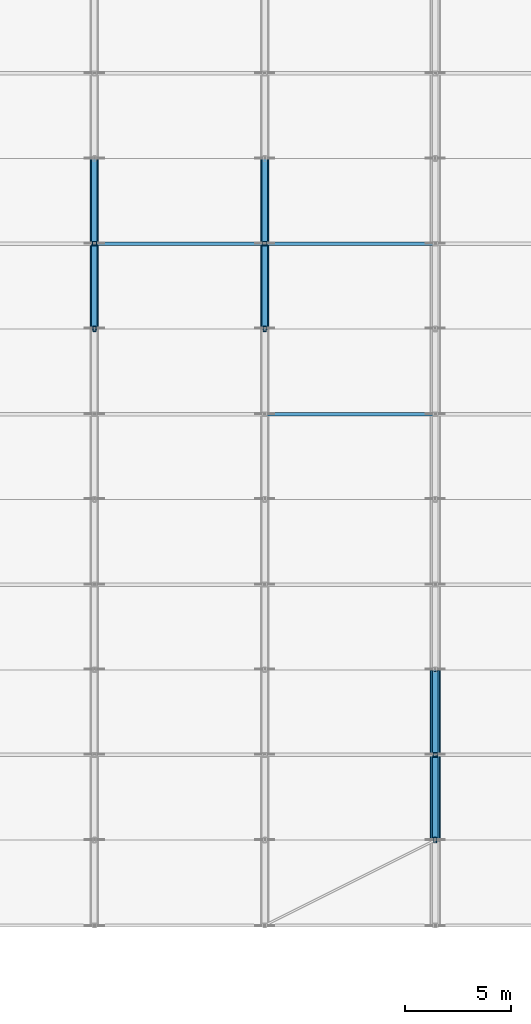
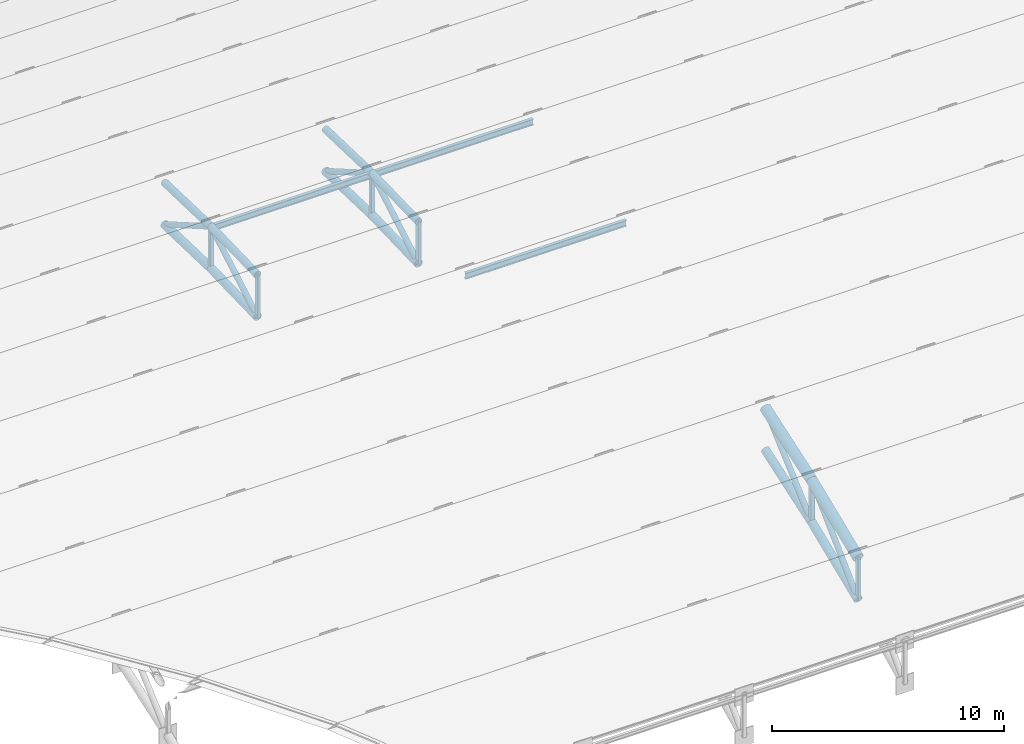
# One storey, part 26 of 98: 27 members.
"""IFC4 building model written with IfcOpenShell, lengths in metres."""

from ifc_helpers import new_model, si_unit, direction, frame, origin, origin_2d, place, context, subcontext, project, spatial, hollow_rectangle, hollow_circle, i_section, extrude, material, material_profile, profile_set, type_object, element, save


model = new_model("IFC4")

# Units and contexts
model_context = context("Model", 3, precision=1e-05, world=origin(), true_north=direction((0.0, 1.0)))
body_context = subcontext(model_context, "Body", "Model", "MODEL_VIEW")
ifc_project = project(units=[si_unit("LENGTHUNIT", "METRE"), si_unit("AREAUNIT", "SQUARE_METRE"), si_unit("VOLUMEUNIT", "CUBIC_METRE"), si_unit("PLANEANGLEUNIT", "RADIAN"), si_unit("MASSUNIT", "GRAM", prefix="KILO")], contexts=[model_context])

# Site, building, storey
site_placement = place(None, origin())
site = spatial("IfcSite", under=ifc_project, at=site_placement, CompositionType="ELEMENT")
building_placement = place(site_placement, origin())
building = spatial("IfcBuilding", under=site, at=building_placement, Name="Tlacozan Convention Centre", CompositionType="ELEMENT")
storey_placement = place(building_placement, frame((0.0, 0.0, 25.800048828125)))
storey = spatial("IfcBuildingStorey", under=building, at=storey_placement, Name="Roof", CompositionType="ELEMENT", Elevation=25.800048828125)

# Members
ifc_material_1 = material(Name="Steel ASTM A500 Grade C", Category="steel")
ifc_material_profile_1 = material_profile(ifc_material_1, hollow_circle(Radius=0.203125, WallThickness=0.015869140625, at=origin_2d()), Name="OC 406.4x15.9")
ifc_profile_set_1 = profile_set([ifc_material_profile_1], Name="Steel ASTM A500 Grade C")
member_type_1 = type_object("IfcMemberType", Name="Arch Bottom Chord OC 406.4x15.9", PredefinedType="CHORD", material=ifc_profile_set_1)
for number, where, z_axis, x_axis, name in (
    (1, (80.0, 90.0, -4.917724609375), (0.0, 0.999567543518, 0.029406222899), (-1.0, 0.0, 0.0), "V2A Roof Truss 11 Bottom Chord 8"),
    (2, (80.0, 94.0, -4.800048828125), (0.0, 0.999567543518, -0.029406222899), (-1.0, 0.0, 0.0), "V2A Roof Truss 11 Bottom Chord 9"),
    (3, (88.0, 90.0, -4.917724609375), (0.0, 0.999567543518, 0.029406222899), (-1.0, 0.0, 0.0), "V2A Roof Truss 12 Bottom Chord 8"),
    (4, (88.0, 94.0, -4.800048828125), (0.0, 0.999567543518, -0.029406222899), (-1.0, 0.0, 0.0), "V2A Roof Truss 12 Bottom Chord 9"),
):
    element("IfcMember", number, at=place(storey_placement, frame(where, z_axis=z_axis, x_axis=x_axis)), inside=storey, type_object=member_type_1, Name=name, PredefinedType="CHORD", context=body_context, shape_type="SweptSolid", body=[
        extrude(hollow_circle(Radius=0.203125, WallThickness=0.015869140625, at=origin_2d()), origin(), (0.0, 0.0, 1.0), 4.001708984375),
    ])
member_1_placement = place(storey_placement, frame((96.0, 66.0, -10.832275390625), z_axis=(0.0, 0.923948802258, 0.382516157575), x_axis=(-1.0, 0.0, 0.0)))
element("IfcMember", 5, at=member_1_placement, inside=storey, type_object=member_type_1, Name="V2A Roof Truss 13 Bottom Chord 2", PredefinedType="CHORD", context=body_context, shape_type="SweptSolid", body=[
    extrude(hollow_circle(Radius=0.203125, WallThickness=0.015869140625, at=origin_2d()), origin(), (0.0, 0.0, 1.0), 4.329345703125),
])
member_2_placement = place(storey_placement, frame((96.0, 70.0, -9.17626953125), z_axis=(0.0, 0.946164915813, 0.323684958077), x_axis=(-1.0, 0.0, 0.0)))
element("IfcMember", 6, at=member_2_placement, inside=storey, type_object=member_type_1, Name="V2A Roof Truss 13 Bottom Chord 3", PredefinedType="CHORD", context=body_context, shape_type="SweptSolid", body=[
    extrude(hollow_circle(Radius=0.203125, WallThickness=0.015869140625, at=origin_2d()), origin(), (0.0, 0.0, 1.0), 4.2275390625),
])
ifc_material_profile_2 = material_profile(ifc_material_1, hollow_circle(Radius=0.25390625, WallThickness=0.01904296875, at=origin_2d()), Name="OC 508.0x19.1")
ifc_profile_set_2 = profile_set([ifc_material_profile_2], Name="Steel ASTM A500 Grade C")
member_type_2 = type_object("IfcMemberType", Name="Arch Top Chord OC 508x19.1", PredefinedType="CHORD", material=ifc_profile_set_2)
member_3_placement = place(storey_placement, frame((96.0, 66.0, -8.63232421875), z_axis=(0.0, 0.923928870591, 0.382564297979), x_axis=(-1.0, 0.0, 0.0)))
element("IfcMember", 7, at=member_3_placement, inside=storey, type_object=member_type_2, Name="V2A Roof Truss 13 Top Chord 2", PredefinedType="CHORD", context=body_context, shape_type="SweptSolid", body=[
    extrude(hollow_circle(Radius=0.25390625, WallThickness=0.01904296875, at=origin_2d()), origin(), (0.0, 0.0, 1.0), 4.329345703125),
])
member_4_placement = place(storey_placement, frame((96.0, 70.0, -6.97607421875), z_axis=(0.0, 0.946164915813, 0.323684958077), x_axis=(-1.0, 0.0, 0.0)))
element("IfcMember", 8, at=member_4_placement, inside=storey, type_object=member_type_2, Name="V2A Roof Truss 13 Top Chord 3", PredefinedType="CHORD", context=body_context, shape_type="SweptSolid", body=[
    extrude(hollow_circle(Radius=0.25390625, WallThickness=0.01904296875, at=origin_2d()), origin(), (0.0, 0.0, 1.0), 4.2275390625),
])
ifc_material_profile_3 = material_profile(ifc_material_1, hollow_circle(Radius=0.136474609375, WallThickness=0.0126953125, at=origin_2d()), Name="OC 273.1x12.7")
ifc_profile_set_3 = profile_set([ifc_material_profile_3], Name="Steel ASTM A500 Grade C")
member_type_3 = type_object("IfcMemberType", Name="Arch Web Diagonal OC 273.1x12.7", PredefinedType="BRACE", material=ifc_profile_set_3)
for number, where, z_axis, x_axis, name in (
    (9, (80.0, 90.0, -4.917724609375), (0.0, 0.865253886656, 0.501333932252), (-1.0, 0.0, 0.0), "V2A Roof Truss 11 Web Diagonal 8"),
    (10, (80.0, 94.0, -2.60009765625), (0.0, 0.865253886656, -0.501333932252), (-1.0, 0.0, 0.0), "V2A Roof Truss 11 Web Diagonal 9"),
    (11, (88.0, 90.0, -4.917724609375), (0.0, 0.865253886656, 0.501333932252), (-1.0, 0.0, 0.0), "V2A Roof Truss 12 Web Diagonal 8"),
    (12, (88.0, 94.0, -2.60009765625), (0.0, 0.865253886656, -0.501333932252), (-1.0, 0.0, 0.0), "V2A Roof Truss 12 Web Diagonal 9"),
):
    element("IfcMember", number, at=place(storey_placement, frame(where, z_axis=z_axis, x_axis=x_axis)), inside=storey, type_object=member_type_3, Name=name, PredefinedType="BRACE", context=body_context, shape_type="SweptSolid", body=[
        extrude(hollow_circle(Radius=0.136474609375, WallThickness=0.0126953125, at=origin_2d()), origin(), (0.0, 0.0, 1.0), 4.622802734375),
    ])
member_5_placement = place(storey_placement, frame((96.0, 66.0, -10.832275390625), z_axis=(0.0, 0.719928977367, 0.694047741547), x_axis=(-1.0, 0.0, 0.0)))
element("IfcMember", 13, at=member_5_placement, inside=storey, type_object=member_type_3, Name="V2A Roof Truss 13 Web Diagonal 2", PredefinedType="BRACE", context=body_context, shape_type="SweptSolid", body=[
    extrude(hollow_circle(Radius=0.136474609375, WallThickness=0.0126953125, at=origin_2d()), origin(), (0.0, 0.0, 1.0), 5.55615234375),
])
member_6_placement = place(storey_placement, frame((96.0, 70.0, -9.17626953125), z_axis=(0.0, 0.746199427712, 0.665722475272), x_axis=(-1.0, 0.0, 0.0)))
element("IfcMember", 14, at=member_6_placement, inside=storey, type_object=member_type_3, Name="V2A Roof Truss 13 Web Diagonal 3", PredefinedType="BRACE", context=body_context, shape_type="SweptSolid", body=[
    extrude(hollow_circle(Radius=0.136474609375, WallThickness=0.0126953125, at=origin_2d()), origin(), (0.0, 0.0, 1.0), 5.360595703125),
])
ifc_material_profile_4 = material_profile(ifc_material_1, hollow_rectangle(XDim=0.203125, YDim=0.203125, WallThickness=0.0126953125, InnerFilletRadius=0.0126953125, OuterFilletRadius=0.02490234375, at=origin_2d()), Name="OR 203x203x12.7")
ifc_profile_set_4 = profile_set([ifc_material_profile_4], Name="Steel ASTM A500 Grade C")
member_type_4 = type_object("IfcMemberType", Name="Arch Web Strut OR 203x203x12.7", PredefinedType="STRUT", material=ifc_profile_set_4)
for number, where, z_axis, x_axis, name in (
    (15, (80.0, 94.0, -4.800048828125), (0.0, 0.0, 1.0), (1.0, 0.0, 0.0), "V2A Roof Truss 11 Vertical Strut 9"),
    (16, (88.0, 94.0, -4.800048828125), (0.0, 0.0, 1.0), (1.0, 0.0, 0.0), "V2A Roof Truss 12 Vertical Strut 9"),
):
    element("IfcMember", number, at=place(storey_placement, frame(where, z_axis=z_axis, x_axis=x_axis)), inside=storey, type_object=member_type_4, Name=name, PredefinedType="STRUT", context=body_context, shape_type="SweptSolid", body=[
        extrude(hollow_rectangle(XDim=0.203125, YDim=0.203125, WallThickness=0.0126953125, InnerFilletRadius=0.0126953125, OuterFilletRadius=0.02490234375, at=origin_2d()), origin(), (0.0, 0.0, 1.0), 2.199951171875),
    ])
member_7_placement = place(storey_placement, frame((96.0, 70.0, -9.17626953125), z_axis=(0.0, 0.0, 1.0), x_axis=(1.0, 0.0, 0.0)))
element("IfcMember", 17, at=member_7_placement, inside=storey, type_object=member_type_4, Name="V2A Roof Truss 13 Vertical Strut 3", PredefinedType="STRUT", context=body_context, shape_type="SweptSolid", body=[
    extrude(hollow_rectangle(XDim=0.203125, YDim=0.203125, WallThickness=0.0126953125, InnerFilletRadius=0.0126953125, OuterFilletRadius=0.02490234375, at=origin_2d()), origin(), (0.0, 0.0, 1.0), 2.2001953125),
])
ifc_material_2 = material(Name="Steel ASTM A992 Grade 50", Category="steel")
ifc_material_profile_5 = material_profile(ifc_material_2, i_section(OverallWidth=0.1669921875, OverallDepth=0.31689453125, WebThickness=0.007568359375, FlangeThickness=0.01318359375, FilletRadius=0.010009765625, at=origin_2d()), Name="IR 305x52.2")
ifc_profile_set_5 = profile_set([ifc_material_profile_5], Name="Steel ASTM A992 Grade 50")
member_type_5 = type_object("IfcMemberType", Name="Roof Purlin IR 305x52.2", PredefinedType="PURLIN", material=ifc_profile_set_5)
for number, where, z_axis, x_axis, name in (
    (18, (80.0, 94.0, -2.6650390625), (1.0, 0.0, 0.0), (0.0, 1.0, 0.0), "V2A Roof Truss Purlin 11.9"),
    (19, (88.0, 86.0, -3.13720703125), (1.0, 0.0, 0.0), (0.0, 1.0, 0.0), "V2A Roof Truss Purlin 12.7"),
    (20, (88.0, 94.0, -2.6650390625), (1.0, 0.0, 0.0), (0.0, 1.0, 0.0), "V2A Roof Truss Purlin 12.9"),
):
    element("IfcMember", number, at=place(storey_placement, frame(where, z_axis=z_axis, x_axis=x_axis)), inside=storey, type_object=member_type_5, Name=name, PredefinedType="PURLIN", context=body_context, shape_type="SweptSolid", body=[
        extrude(i_section(OverallWidth=0.1669921875, OverallDepth=0.31689453125, WebThickness=0.007568359375, FlangeThickness=0.01318359375, FilletRadius=0.010009765625, at=origin_2d()), origin(), (0.0, 0.0, 1.0), 8.0),
    ])
ifc_material_profile_6 = material_profile(ifc_material_1, hollow_circle(Radius=0.177734375, WallThickness=0.015869140625, at=origin_2d()), Name="OC 355.6x15.9")
ifc_profile_set_6 = profile_set([ifc_material_profile_6], Name="Steel ASTM A500 Grade C")
member_type_6 = type_object("IfcMemberType", Name="Secondary Arch Chord OC 355.6x15.9", PredefinedType="CHORD", material=ifc_profile_set_6)
for number, where, z_axis, x_axis, name in (
    (21, (80.0, 90.0, -2.7177734375), (0.0, 0.999567543518, 0.029406222899), (-1.0, 0.0, 0.0), "V2A Roof Truss 11 Top Chord 8"),
    (22, (80.0, 94.0, -2.60009765625), (0.0, 0.999567543518, -0.029406222899), (-1.0, 0.0, 0.0), "V2A Roof Truss 11 Top Chord 9"),
    (23, (88.0, 90.0, -2.7177734375), (0.0, 0.999567543518, 0.029406222899), (-1.0, 0.0, 0.0), "V2A Roof Truss 12 Top Chord 8"),
    (24, (88.0, 94.0, -2.60009765625), (0.0, 0.999567543518, -0.029406222899), (-1.0, 0.0, 0.0), "V2A Roof Truss 12 Top Chord 9"),
):
    element("IfcMember", number, at=place(storey_placement, frame(where, z_axis=z_axis, x_axis=x_axis)), inside=storey, type_object=member_type_6, Name=name, PredefinedType="CHORD", context=body_context, shape_type="SweptSolid", body=[
        extrude(hollow_circle(Radius=0.177734375, WallThickness=0.015869140625, at=origin_2d()), origin(), (0.0, 0.0, 1.0), 4.001708984375),
    ])
ifc_material_profile_7 = material_profile(ifc_material_1, hollow_rectangle(XDim=0.15234375, YDim=0.25390625, WallThickness=0.0126953125, InnerFilletRadius=0.0126953125, OuterFilletRadius=0.02490234375, at=origin_2d()), Name="OR 254x152x12.7")
ifc_profile_set_7 = profile_set([ifc_material_profile_7], Name="Steel ASTM A500 Grade C")
member_type_7 = type_object("IfcMemberType", Name="Truss Secondary Strut OR 254x152x12.7", PredefinedType="STRUT", material=ifc_profile_set_7)
for number, where, z_axis, x_axis, name in (
    (25, (80.0, 90.0, -4.917724609375), (0.0, 0.0, 1.0), (1.0, 0.0, 0.0), "V2A Roof Truss 11 Vertical Strut 8"),
    (26, (88.0, 90.0, -4.917724609375), (0.0, 0.0, 1.0), (1.0, 0.0, 0.0), "V2A Roof Truss 12 Vertical Strut 8"),
    (27, (96.0, 66.0, -10.832275390625), (0.0, 0.0, 1.0), (1.0, 0.0, 0.0), "V2A Roof Truss 13 Vertical Strut 2"),
):
    element("IfcMember", number, at=place(storey_placement, frame(where, z_axis=z_axis, x_axis=x_axis)), inside=storey, type_object=member_type_7, Name=name, PredefinedType="STRUT", context=body_context, shape_type="SweptSolid", body=[
        extrude(hollow_rectangle(XDim=0.15234375, YDim=0.25390625, WallThickness=0.0126953125, InnerFilletRadius=0.0126953125, OuterFilletRadius=0.02490234375, at=origin_2d()), origin(), (0.0, 0.0, 1.0), 2.199951171875),
    ])

save(model, "model.ifc")
